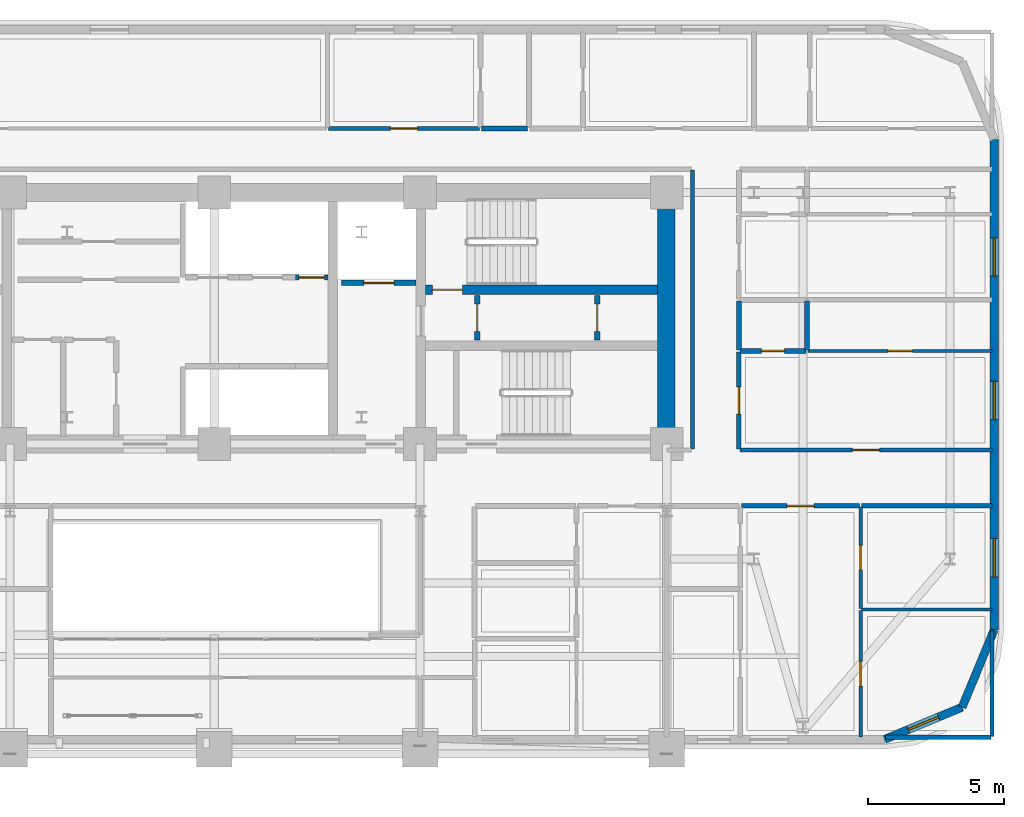
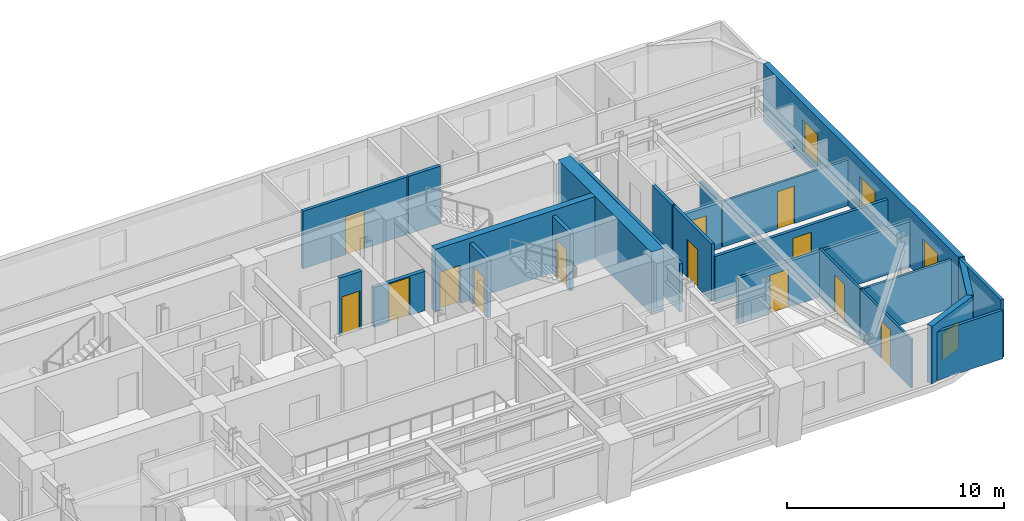
# One storey, part 12 of 16: 25 walls, 13 doors, 4 windows, 17 openings.
"""IFC4 building model written with IfcOpenShell, lengths in metres."""

import ifcopenshell
import ifcopenshell.guid

model = None  # the IFC model being written
_history = None  # IfcOwnerHistory: only IFC2X3 demands one
_inside = {}  # id of a spatial element -> (the spatial element, [elements in it])
_under = {}  # id of a project, library or spatial element -> (it, [spatial elements below it])
_declared = {}  # id of a project -> (the project, [libraries it declares])
_typed = {}  # id of a type object -> (the type object, [elements of that type])
_made_of = {}  # id of a material, layer set ... -> (it, [elements and type objects made of it])


def new_model(schema):
    """Start an empty IFC model of exactly this schema.

    Asked for "IFC4X3", IfcOpenShell would pick the latest addendum, in which some entities
    have other attributes; the version numbers below select the first issue.
    IFC2X3 requires an IfcOwnerHistory on every rooted entity: one is made here for all.
    """
    global model, _history
    if schema == "IFC4X3":
        model = ifcopenshell.file(schema_version=(4, 3, 0, 0))
    else:
        model = ifcopenshell.file(schema=schema)
    _inside.clear()
    _under.clear()
    _declared.clear()
    _typed.clear()
    _made_of.clear()
    _history = None
    if model.schema == "IFC2X3":
        org = make("IfcOrganization", Name="unknown")
        user = make(
            "IfcPersonAndOrganization",
            ThePerson=make("IfcPerson", FamilyName="unknown"),
            TheOrganization=org,
        )
        app = make(
            "IfcApplication",
            ApplicationDeveloper=org,
            Version="unknown",
            ApplicationFullName="unknown",
            ApplicationIdentifier="unknown",
        )
        _history = make(
            "IfcOwnerHistory",
            OwningUser=user,
            OwningApplication=app,
            ChangeAction="ADDED",
            CreationDate=0,
        )
    return model


def make(cls, **values):
    """One entity of the class cls with the attributes given. An attribute that is None is left unset."""
    return model.create_entity(
        cls, **{name: value for name, value in values.items() if value is not None}
    )


def rooted(cls, **values):
    """An entity with a GlobalId (a new one), such as an element, a storey or a relation."""
    return make(cls, GlobalId=ifcopenshell.guid.new(), OwnerHistory=_history, **values)


def si_unit(unit_type, name, prefix=None):
    """IfcSIUnit, for example si_unit("LENGTHUNIT", "METRE", prefix="MILLI")."""
    return make("IfcSIUnit", UnitType=unit_type, Prefix=prefix, Name=name)


def assignment(units):
    """IfcUnitAssignment: the units of a project."""
    return None if units is None else make("IfcUnitAssignment", Units=units)


def point(xyz):
    """IfcCartesianPoint."""
    return None if xyz is None else make("IfcCartesianPoint", Coordinates=xyz)


def direction(xyz):
    """IfcDirection."""
    return None if xyz is None else make("IfcDirection", DirectionRatios=xyz)


def frame(location, z_axis=None, x_axis=None):
    """IfcAxis2Placement3D, a coordinate frame: its origin and axes. An axis left out is left unset."""
    return make(
        "IfcAxis2Placement3D",
        Location=point(location),
        Axis=direction(z_axis),
        RefDirection=direction(x_axis),
    )


def frame_2d(location, x_axis=None):
    """IfcAxis2Placement2D, a coordinate frame in the plane: its origin and x axis."""
    return make(
        "IfcAxis2Placement2D", Location=point(location), RefDirection=direction(x_axis)
    )


def origin():
    """The frame at (0, 0, 0) with its axes left unset."""
    return frame((0.0, 0.0, 0.0))


def place(relative_to, where):
    """IfcLocalPlacement: puts the frame where relative to a parent placement (None: the world)."""
    return make(
        "IfcLocalPlacement", PlacementRelTo=relative_to, RelativePlacement=where
    )


def context(
    kind, dimensions, precision=None, world=None, true_north=None, identifier=None
):
    """IfcGeometricRepresentationContext, for example the 3D "Model" context."""
    return make(
        "IfcGeometricRepresentationContext",
        ContextIdentifier=identifier,
        ContextType=kind,
        CoordinateSpaceDimension=dimensions,
        Precision=precision,
        WorldCoordinateSystem=world,
        TrueNorth=true_north,
    )


def subcontext(parent, identifier, kind, view, scale=None):
    """IfcGeometricRepresentationSubContext, for example "Body" below "Model"."""
    return make(
        "IfcGeometricRepresentationSubContext",
        ContextIdentifier=identifier,
        ContextType=kind,
        ParentContext=parent,
        TargetScale=scale,
        TargetView=view,
    )


def project(units=None, contexts=None):
    """IfcProject with its units and contexts."""
    return rooted(
        "IfcProject",
        Name="project",
        RepresentationContexts=contexts,
        UnitsInContext=assignment(units),
    )


def spatial(cls, under=None, at=None, **own):
    """A site, building, storey or space (cls), placed at a placement, below another one or the project."""
    s = rooted(cls, ObjectPlacement=at, **own)
    if under is not None:
        _under.setdefault(under.id(), (under, []))[1].append(s)
    return s


def profile(cls, at=None, kind="AREA", **sizes):
    """A parametric profile (cls). Its sizes go by their IFC names, for example OverallWidth=200.0."""
    return make(cls, ProfileType=kind, Position=at, **sizes)


def rectangle(**sizes):
    """IfcRectangleProfileDef."""
    return profile("IfcRectangleProfileDef", **sizes)


def extrude(swept, where, along, depth):
    """IfcExtrudedAreaSolid: the profile swept, set in the frame where, extruded along a direction by depth."""
    return make(
        "IfcExtrudedAreaSolid",
        SweptArea=swept,
        Position=where,
        ExtrudedDirection=direction(along),
        Depth=depth,
    )


def shape(context_of_items, identifier, shape_type, items):
    """IfcShapeRepresentation: the items that make up one representation, for example the "Body"."""
    return make(
        "IfcShapeRepresentation",
        ContextOfItems=context_of_items,
        RepresentationIdentifier=identifier,
        RepresentationType=shape_type,
        Items=items,
    )


def material(Name=None, Category=None):
    """IfcMaterial."""
    return make("IfcMaterial", Name=Name, Category=Category)


def layer(
    of_material, thickness, ventilated=None, Name=None, Category=None, Priority=None
):
    """IfcMaterialLayer: one layer of a wall or slab, of a material (None: an air gap)."""
    return make(
        "IfcMaterialLayer",
        Material=of_material,
        LayerThickness=thickness,
        IsVentilated=ventilated,
        Name=Name,
        Category=Category,
        Priority=Priority,
    )


def layer_set(layers, Name=None):
    """IfcMaterialLayerSet."""
    return make("IfcMaterialLayerSet", MaterialLayers=layers, LayerSetName=Name)


def made_of(thing, what):
    """Note that an element or type object is made of a material, layer set ...; save() writes the relation."""
    if what is not None:
        _made_of.setdefault(what.id(), (what, []))[1].append(thing)
    return thing


def type_object(cls, material=None, **own):
    """A type object (cls), such as IfcWallType, which elements share."""
    return made_of(rooted(cls, **own), material)


def element(
    cls,
    number,
    at=None,
    inside=None,
    cuts=None,
    type_object=None,
    material=None,
    context=None,
    identifier="Body",
    shape_type=None,
    held_by="IfcProductDefinitionShape",
    body=None,
    shapes=None,
    **own,
):
    """One element of the class cls, such as IfcWall. Its Tag is "e" and its number.

    at: its placement. inside: the storey or other place that contains it. cuts: it is an
    opening in that element (IfcRelVoidsElement). A single representation is given by context,
    identifier, shape_type and body (its items); several are given by shapes. held_by: the class
    of the entity that holds the representations. save() writes the other relations.
    """
    e = rooted(cls, Tag="e%d" % number, ObjectPlacement=at, **own)
    if body is not None:
        shapes = [shape(context, identifier, shape_type, body)]
    if shapes is not None:
        e.Representation = make(held_by, Representations=shapes)
    if inside is not None:
        _inside.setdefault(inside.id(), (inside, []))[1].append(e)
    if cuts is not None:
        rooted(
            "IfcRelVoidsElement", RelatingBuildingElement=cuts, RelatedOpeningElement=e
        )
    if type_object is not None:
        _typed.setdefault(type_object.id(), (type_object, []))[1].append(e)
    return made_of(e, material)


def fill(opening, filler):
    """IfcRelFillsElement: the door or window that sits in an opening."""
    return rooted(
        "IfcRelFillsElement",
        RelatingOpeningElement=opening,
        RelatedBuildingElement=filler,
    )


def aggregate(whole, parts):
    """IfcRelAggregates: a whole, such as a stair, and the parts it consists of."""
    return rooted("IfcRelAggregates", RelatingObject=whole, RelatedObjects=parts)


def save(model, path):
    """Write the relations noted so far, then the file.

    IfcRelAggregates (storeys below a building ...), IfcRelContainedInSpatialStructure (elements
    in a storey), IfcRelDefinesByType, IfcRelAssociatesMaterial and IfcRelDeclares: one each for
    every whole, place, type object, material and project.
    """
    for whole, parts in _under.values():
        aggregate(whole, parts)
    for where, things in _inside.values():
        rooted(
            "IfcRelContainedInSpatialStructure",
            RelatedElements=things,
            RelatingStructure=where,
        )
    for kind, things in _typed.values():
        rooted("IfcRelDefinesByType", RelatedObjects=things, RelatingType=kind)
    for what, things in _made_of.values():
        rooted("IfcRelAssociatesMaterial", RelatedObjects=things, RelatingMaterial=what)
    for by, libraries in _declared.values():
        rooted("IfcRelDeclares", RelatingContext=by, RelatedDefinitions=libraries)
    model.write(path)


model = new_model("IFC4")

# Units and contexts
model_context = context("Model", 3, precision=1e-05, world=origin(), true_north=direction((0.0, 1.0)))
body_context = subcontext(model_context, "Body", "Model", "MODEL_VIEW")
ifc_project = project(units=[si_unit("LENGTHUNIT", "METRE"), si_unit("AREAUNIT", "SQUARE_METRE"), si_unit("VOLUMEUNIT", "CUBIC_METRE"), si_unit("PLANEANGLEUNIT", "RADIAN"), si_unit("MASSUNIT", "GRAM", prefix="KILO")], contexts=[model_context])

# Site, building, storey
site_placement = place(None, origin())
site = spatial("IfcSite", under=ifc_project, at=site_placement, CompositionType="ELEMENT")
building_placement = place(site_placement, origin())
building = spatial("IfcBuilding", under=site, at=building_placement, Name="Zarnavel Station Tower", CompositionType="ELEMENT")
storey_placement = place(building_placement, frame((0.0, 0.0, 104.800048828125)))
storey = spatial("IfcBuildingStorey", under=building, at=storey_placement, Name="L28", CompositionType="ELEMENT", Elevation=104.800048828125)

# Wall, opening, door
ifc_material_1 = material(Name="Concrete C50/60", Category="concrete")
ifc_layer_1 = layer(ifc_material_1, 0.35009765625)
ifc_layer_set_1 = layer_set([ifc_layer_1], Name="CW_350")
wall_type_1 = type_object("IfcWallType", Name="CW_350", PredefinedType="SHEAR", material=ifc_layer_set_1)
wall_1_placement = place(storey_placement, frame((45.054931640625, 33.47998046875, 0.0), z_axis=(0.0, 0.0, 1.0), x_axis=(-1.0, 0.0, 0.0)))
wall_1 = element("IfcWall", 1, at=wall_1_placement, inside=storey, type_object=wall_type_1, Name="L28 Rear Core Shear Wall DIV-H2", PredefinedType="SHEAR", context=body_context, shape_type="SweptSolid", body=[
    extrude(rectangle(XDim=8.5, YDim=0.35009765625, at=frame_2d((4.25, 0.0))), origin(), (0.0, 0.0, 1.0), 3.5),
])
opening_1_placement = place(wall_1_placement, frame((7.155029296875, 0.0, 0.0)))
opening_1 = element("IfcOpeningElement", 2, at=opening_1_placement, cuts=wall_1, Name="Opening FD01", PredefinedType="OPENING", context=body_context, shape_type="SweptSolid", body=[
    extrude(rectangle(XDim=1.10009765625, YDim=2.14990234375, at=frame_2d((0.550048828125, 1.074951171875))), frame((0.0, 0.18505859375, 0.0), z_axis=(0.0, -1.0, 0.0), x_axis=(1.0, 0.0, 0.0)), (0.0, 0.0, 1.0), 0.3701171875),
])
ifc_material_2 = material(Name="Painted Galvanised Steel and Hardwood Leaf", Category="steel")
door_type_1 = type_object("IfcDoorType", Name="ID_STAIR_1100", OperationType="NOTDEFINED", PredefinedType="DOOR", material=ifc_material_2)
door_1_placement = place(opening_1_placement, origin())
door_1 = element("IfcDoor", 3, at=door_1_placement, inside=storey, type_object=door_type_1, Name="L28 Stair ST2 Lobby Fire Door", OperationType="SINGLE_SWING_RIGHT", OverallHeight=2.14990234375, OverallWidth=1.10009765625, PredefinedType="DOOR", context=body_context, shape_type="SweptSolid", body=[
    extrude(rectangle(XDim=1.10009765625, YDim=2.14990234375, at=frame_2d((0.550048828125, 1.074951171875))), frame((0.0, 0.02490234375, 0.0), z_axis=(0.0, -1.0, 0.0), x_axis=(1.0, 0.0, 0.0)), (0.0, 0.0, 1.0), 0.050048828125),
])
fill(opening_1, door_1)

# Wall
ifc_material_3 = material(Name="Concrete C60/75", Category="concrete")
ifc_layer_2 = layer(ifc_material_3, 0.64990234375)
ifc_layer_set_2 = layer_set([ifc_layer_2], Name="CW_650")
wall_type_2 = type_object("IfcWallType", Name="CW_650", PredefinedType="SHEAR", material=ifc_layer_set_2)
wall_2_placement = place(storey_placement, frame((45.3798828125, 28.14501953125, 0.0), z_axis=(0.0, 0.0, 1.0), x_axis=(0.0, 1.0, 0.0)))
element("IfcWall", 4, at=wall_2_placement, inside=storey, type_object=wall_type_2, Name="L28 Rear Core Shear Wall E", PredefinedType="SHEAR", context=body_context, shape_type="SweptSolid", body=[
    extrude(rectangle(XDim=8.580078125, YDim=0.64990234375, at=frame_2d((4.2900390625, 0.0))), origin(), (0.0, 0.0, 1.0), 3.5),
])

# Wall, opening, window
ifc_material_4 = material(Name="Precast concrete C45/55 (Dark Basalt Finish)", Category="masonry")
ifc_layer_3 = layer(ifc_material_4, 0.300048828125)
ifc_layer_set_3 = layer_set([ifc_layer_3], Name="EW_BASALT_300")
wall_type_3 = type_object("IfcWallType", Name="EW_BASALT_300", PredefinedType="SOLIDWALL", material=ifc_layer_set_3)
wall_3_placement = place(storey_placement, frame((56.24267578125, 18.157470703125, 0.0), z_axis=(0.0, 0.0, 1.0), x_axis=(-0.923882414032, -0.382676475685, 0.0)))
wall_3 = element("IfcWall", 5, at=wall_3_placement, inside=storey, type_object=wall_type_3, Name="L28 Exterior Basalt Masonry Frame Wall 01", PredefinedType="SOLIDWALL", context=body_context, shape_type="SweptSolid", body=[
    extrude(rectangle(XDim=3.076904296875, YDim=0.300048828125, at=frame_2d((1.53857421875, 0.0))), origin(), (0.0, 0.0, 1.0), 3.239990234375),
])
opening_2_placement = place(wall_3_placement, frame((0.9384765625, 0.0, 0.75)))
opening_2 = element("IfcOpeningElement", 6, at=opening_2_placement, cuts=wall_3, Name="Opening WN08", PredefinedType="OPENING", context=body_context, shape_type="SweptSolid", body=[
    extrude(rectangle(XDim=1.199951171875, YDim=1.5, at=frame_2d((0.60009765625, 0.75))), frame((0.0, 0.159912109375, 0.0), z_axis=(0.0, -1.0, 0.0), x_axis=(1.0, 0.0, 0.0)), (0.0, 0.0, 1.0), 0.320068359375),
])
ifc_material_5 = material(Name="Thermally Broken Black Aluminium and Low-E Dark Glass", Category="aluminium")
window_type_1 = type_object("IfcWindowType", Name="WN_1200x1500", PartitioningType="SINGLE_PANEL", PredefinedType="WINDOW", material=ifc_material_5)
window_1_placement = place(opening_2_placement, origin())
window_1 = element("IfcWindow", 7, at=window_1_placement, inside=storey, type_object=window_type_1, Name="L28 Recessed Facade Window 01", OverallHeight=1.5, OverallWidth=1.199951171875, PartitioningType="SINGLE_PANEL", PredefinedType="WINDOW", context=body_context, shape_type="SweptSolid", body=[
    extrude(rectangle(XDim=1.199951171875, YDim=1.5, at=frame_2d((0.60009765625, 0.75))), frame((0.0, 0.030029296875, 0.0), z_axis=(0.0, -1.0, 0.0), x_axis=(1.0, 0.0, 0.0)), (0.0, 0.0, 1.0), 0.06005859375),
])
fill(opening_2, window_1)

# Wall
wall_4_placement = place(storey_placement, frame((57.419921875, 21.0, 0.0), z_axis=(0.0, 0.0, 1.0), x_axis=(-0.382636798336, -0.92389884758, 0.0)))
element("IfcWall", 8, at=wall_4_placement, inside=storey, type_object=wall_type_3, Name="L28 Exterior Basalt Masonry Frame Wall 02", PredefinedType="SOLIDWALL", context=body_context, shape_type="SweptSolid", body=[
    extrude(rectangle(XDim=3.07666015625, YDim=0.300048828125, at=frame_2d((1.538330078125, 0.0))), origin(), (0.0, 0.0, 1.0), 3.239990234375),
])

# Wall, openings, windows
wall_5_placement = place(storey_placement, frame((57.419921875, 39.0, 0.0), z_axis=(0.0, 0.0, 1.0), x_axis=(0.0, -1.0, 0.0)))
wall_5 = element("IfcWall", 9, at=wall_5_placement, inside=storey, type_object=wall_type_3, Name="L28 Exterior Basalt Masonry Frame Wall 03", PredefinedType="SOLIDWALL", context=body_context, shape_type="SweptSolid", body=[
    extrude(rectangle(XDim=18.0, YDim=0.300048828125, at=frame_2d((9.0, 0.0))), origin(), (0.0, 0.0, 1.0), 3.239990234375),
])
opening_3_placement = place(wall_5_placement, frame((8.882080078125, 0.0, 0.47998046875)))
opening_3 = element("IfcOpeningElement", 10, at=opening_3_placement, cuts=wall_5, Name="Opening WN01", PredefinedType="OPENING", context=body_context, shape_type="SweptSolid", body=[
    extrude(rectangle(XDim=1.39990234375, YDim=1.800048828125, at=frame_2d((0.699951171875, 0.89990234375))), frame((0.0, 0.159912109375, 0.0), z_axis=(0.0, -1.0, 0.0), x_axis=(1.0, 0.0, 0.0)), (0.0, 0.0, 1.0), 0.320068359375),
])
opening_4_placement = place(wall_5_placement, frame((3.62060546875, 0.0, 0.47998046875)))
opening_4 = element("IfcOpeningElement", 11, at=opening_4_placement, cuts=wall_5, Name="Opening WN01", PredefinedType="OPENING", context=body_context, shape_type="SweptSolid", body=[
    extrude(rectangle(XDim=1.39990234375, YDim=1.800048828125, at=frame_2d((0.699951171875, 0.89990234375))), frame((0.0, 0.159912109375, 0.0), z_axis=(0.0, -1.0, 0.0), x_axis=(1.0, 0.0, 0.0)), (0.0, 0.0, 1.0), 0.320068359375),
])
opening_5_placement = place(wall_5_placement, frame((14.654541015625, 0.0, 0.47998046875)))
opening_5 = element("IfcOpeningElement", 12, at=opening_5_placement, cuts=wall_5, Name="Opening WN01", PredefinedType="OPENING", context=body_context, shape_type="SweptSolid", body=[
    extrude(rectangle(XDim=1.39990234375, YDim=1.800048828125, at=frame_2d((0.699951171875, 0.89990234375))), frame((0.0, 0.159912109375, 0.0), z_axis=(0.0, -1.0, 0.0), x_axis=(1.0, 0.0, 0.0)), (0.0, 0.0, 1.0), 0.320068359375),
])
ifc_material_6 = material(Name="Thermally Broken Black Aluminium and Low-E Dark Glass", Category="aluminium")
window_type_2 = type_object("IfcWindowType", Name="WN_1400x1800", PartitioningType="DOUBLE_PANEL_VERTICAL", PredefinedType="WINDOW", material=ifc_material_6)
window_2_placement = place(opening_3_placement, origin())
window_2 = element("IfcWindow", 13, at=window_2_placement, inside=storey, type_object=window_type_2, Name="L28 Recessed Facade Window 01", OverallHeight=1.800048828125, OverallWidth=1.39990234375, PartitioningType="SINGLE_PANEL", PredefinedType="WINDOW", context=body_context, shape_type="SweptSolid", body=[
    extrude(rectangle(XDim=1.39990234375, YDim=1.800048828125, at=frame_2d((0.699951171875, 0.89990234375))), frame((0.0, 0.030029296875, 0.0), z_axis=(0.0, -1.0, 0.0), x_axis=(1.0, 0.0, 0.0)), (0.0, 0.0, 1.0), 0.06005859375),
])
fill(opening_3, window_2)
window_3_placement = place(opening_4_placement, origin())
window_3 = element("IfcWindow", 14, at=window_3_placement, inside=storey, type_object=window_type_2, Name="L28 Recessed Facade Window 02", OverallHeight=1.800048828125, OverallWidth=1.39990234375, PartitioningType="SINGLE_PANEL", PredefinedType="WINDOW", context=body_context, shape_type="SweptSolid", body=[
    extrude(rectangle(XDim=1.39990234375, YDim=1.800048828125, at=frame_2d((0.699951171875, 0.89990234375))), frame((0.0, 0.030029296875, 0.0), z_axis=(0.0, -1.0, 0.0), x_axis=(1.0, 0.0, 0.0)), (0.0, 0.0, 1.0), 0.06005859375),
])
fill(opening_4, window_3)
window_4_placement = place(opening_5_placement, origin())
window_4 = element("IfcWindow", 15, at=window_4_placement, inside=storey, type_object=window_type_2, Name="L28 Recessed Facade Window 03", OverallHeight=1.800048828125, OverallWidth=1.39990234375, PartitioningType="SINGLE_PANEL", PredefinedType="WINDOW", context=body_context, shape_type="SweptSolid", body=[
    extrude(rectangle(XDim=1.39990234375, YDim=1.800048828125, at=frame_2d((0.699951171875, 0.89990234375))), frame((0.0, 0.030029296875, 0.0), z_axis=(0.0, -1.0, 0.0), x_axis=(1.0, 0.0, 0.0)), (0.0, 0.0, 1.0), 0.06005859375),
])
fill(opening_5, window_4)

# Wall, opening, door
ifc_material_7 = material(Name="Gypsum Twin-Stud Acoustic Fire Partition", Category="concrete")
ifc_layer_4 = layer(ifc_material_7, 0.159912109375)
ifc_layer_set_4 = layer_set([ifc_layer_4], Name="PT_DEMISE_160")
wall_type_4 = type_object("IfcWallType", Name="PT_DEMISE_160", PredefinedType="PARTITIONING", material=ifc_layer_set_4)
wall_6_placement = place(storey_placement, frame((48.090087890625, 27.60009765625, 0.0), z_axis=(0.0, 0.0, 1.0), x_axis=(1.0, 0.0, 0.0)))
wall_6 = element("IfcWall", 16, at=wall_6_placement, inside=storey, type_object=wall_type_4, Name="L28 Partition COR-S-FNE1R", PredefinedType="PARTITIONING", context=body_context, shape_type="SweptSolid", body=[
    extrude(rectangle(XDim=9.25, YDim=0.159912109375, at=frame_2d((4.625, 0.0))), origin(), (0.0, 0.0, 1.0), 2.570068359375),
])
opening_6_placement = place(wall_6_placement, frame((4.125, 0.0, 0.0)))
opening_6 = element("IfcOpeningElement", 17, at=opening_6_placement, cuts=wall_6, Name="Opening FD02", PredefinedType="OPENING", context=body_context, shape_type="SweptSolid", body=[
    extrude(rectangle(XDim=1.0, YDim=2.14990234375, at=frame_2d((0.5, 1.074951171875))), frame((0.0, 0.08984375, 0.0), z_axis=(0.0, -1.0, 0.0), x_axis=(1.0, 0.0, 0.0)), (0.0, 0.0, 1.0), 0.179931640625),
])
ifc_material_8 = material(Name="Painted Galvanised Steel and Hardwood Leaf", Category="steel")
door_type_2 = type_object("IfcDoorType", Name="ID_ENTRY_1000", OperationType="NOTDEFINED", PredefinedType="DOOR", material=ifc_material_8)
door_2_placement = place(opening_6_placement, origin())
door_2 = element("IfcDoor", 18, at=door_2_placement, inside=storey, type_object=door_type_2, Name="L28 Door COR-S-FNE1R", OperationType="SINGLE_SWING_RIGHT", OverallHeight=2.14990234375, OverallWidth=1.0, PredefinedType="DOOR", context=body_context, shape_type="SweptSolid", body=[
    extrude(rectangle(XDim=1.0, YDim=2.14990234375, at=frame_2d((0.5, 1.074951171875))), frame((0.0, 0.02490234375, 0.0), z_axis=(0.0, -1.0, 0.0), x_axis=(1.0, 0.0, 0.0)), (0.0, 0.0, 1.0), 0.050048828125),
])
fill(opening_6, door_2)

wall_7_placement = place(storey_placement, frame((48.139892578125, 25.550048828125, 0.0), z_axis=(0.0, 0.0, 1.0), x_axis=(1.0, 0.0, 0.0)))
wall_7 = element("IfcWall", 19, at=wall_7_placement, inside=storey, type_object=wall_type_4, Name="L28 Partition COR-S-UE1BLV", PredefinedType="PARTITIONING", context=body_context, shape_type="SweptSolid", body=[
    extrude(rectangle(XDim=4.338134765625, YDim=0.159912109375, at=frame_2d((2.1689453125, 0.0))), origin(), (0.0, 0.0, 1.0), 2.570068359375),
])
opening_7_placement = place(wall_7_placement, frame((1.6689453125, 0.0, 0.0)))
opening_7 = element("IfcOpeningElement", 20, at=opening_7_placement, cuts=wall_7, Name="Opening FD02", PredefinedType="OPENING", context=body_context, shape_type="SweptSolid", body=[
    extrude(rectangle(XDim=1.0, YDim=2.14990234375, at=frame_2d((0.5, 1.074951171875))), frame((0.0, 0.08984375, 0.0), z_axis=(0.0, -1.0, 0.0), x_axis=(1.0, 0.0, 0.0)), (0.0, 0.0, 1.0), 0.179931640625),
])
door_3_placement = place(opening_7_placement, origin())
door_3 = element("IfcDoor", 21, at=door_3_placement, inside=storey, type_object=door_type_2, Name="L28 Door COR-S-UE1BLV", OperationType="SINGLE_SWING_RIGHT", OverallHeight=2.14990234375, OverallWidth=1.0, PredefinedType="DOOR", context=body_context, shape_type="SweptSolid", body=[
    extrude(rectangle(XDim=1.0, YDim=2.14990234375, at=frame_2d((0.5, 1.074951171875))), frame((0.0, 0.02490234375, 0.0), z_axis=(0.0, -1.0, 0.0), x_axis=(1.0, 0.0, 0.0)), (0.0, 0.0, 1.0), 0.050048828125),
])
fill(opening_7, door_3)

# Wall
wall_8_placement = place(storey_placement, frame((52.55810546875, 25.550048828125, 0.0), z_axis=(0.0, 0.0, 1.0), x_axis=(1.0, 0.0, 0.0)))
element("IfcWall", 22, at=wall_8_placement, inside=storey, type_object=wall_type_4, Name="L28 Partition COR-S-UE1BB2", PredefinedType="PARTITIONING", context=body_context, shape_type="SweptSolid", body=[
    extrude(rectangle(XDim=4.781982421875, YDim=0.159912109375, at=frame_2d((2.39111328125, 0.0))), origin(), (0.0, 0.0, 1.0), 2.570068359375),
])

# Wall, opening, door
wall_9_placement = place(storey_placement, frame((48.050048828125, 27.639892578125, 0.0), z_axis=(0.0, 0.0, 1.0), x_axis=(0.0, 1.0, 0.0)))
wall_9 = element("IfcWall", 23, at=wall_9_placement, inside=storey, type_object=wall_type_4, Name="L28 Partition COR-E-FNE1R", PredefinedType="PARTITIONING", context=body_context, shape_type="SweptSolid", body=[
    extrude(rectangle(XDim=3.55615234375, YDim=0.159912109375, at=frame_2d((1.778076171875, 0.0))), origin(), (0.0, 0.0, 1.0), 3.239990234375),
])
opening_8_placement = place(wall_9_placement, frame((1.278076171875, 0.0, 0.0)))
opening_8 = element("IfcOpeningElement", 24, at=opening_8_placement, cuts=wall_9, Name="Opening FD02", PredefinedType="OPENING", context=body_context, shape_type="SweptSolid", body=[
    extrude(rectangle(XDim=1.0, YDim=2.14990234375, at=frame_2d((0.5, 1.074951171875))), frame((0.0, 0.08984375, 0.0), z_axis=(0.0, -1.0, 0.0), x_axis=(1.0, 0.0, 0.0)), (0.0, 0.0, 1.0), 0.179931640625),
])
door_4_placement = place(opening_8_placement, origin())
door_4 = element("IfcDoor", 25, at=door_4_placement, inside=storey, type_object=door_type_2, Name="L28 Door COR-E-FNE1R", OperationType="SINGLE_SWING_LEFT", OverallHeight=2.14990234375, OverallWidth=1.0, PredefinedType="DOOR", context=body_context, shape_type="SweptSolid", body=[
    extrude(rectangle(XDim=1.0, YDim=2.14990234375, at=frame_2d((0.5, 1.074951171875))), frame((0.0, 0.02490234375, 0.0), z_axis=(0.0, -1.0, 0.0), x_axis=(1.0, 0.0, 0.0)), (0.0, 0.0, 1.0), 0.050048828125),
])
fill(opening_8, door_4)

wall_10_placement = place(storey_placement, frame((32.989990234375, 39.39990234375, 0.0), z_axis=(0.0, 0.0, 1.0), x_axis=(1.0, 0.0, 0.0)))
wall_10 = element("IfcWall", 26, at=wall_10_placement, inside=storey, type_object=wall_type_4, Name="L28 Partition COR-N-HN1R", PredefinedType="PARTITIONING", context=body_context, shape_type="SweptSolid", body=[
    extrude(rectangle(XDim=5.537109375, YDim=0.159912109375, at=frame_2d((2.7685546875, 0.0))), origin(), (0.0, 0.0, 1.0), 3.239990234375),
])
opening_9_placement = place(wall_10_placement, frame((2.2685546875, 0.0, 0.0)))
opening_9 = element("IfcOpeningElement", 27, at=opening_9_placement, cuts=wall_10, Name="Opening FD02", PredefinedType="OPENING", context=body_context, shape_type="SweptSolid", body=[
    extrude(rectangle(XDim=1.0, YDim=2.14990234375, at=frame_2d((0.5, 1.074951171875))), frame((0.0, 0.08984375, 0.0), z_axis=(0.0, -1.0, 0.0), x_axis=(1.0, 0.0, 0.0)), (0.0, 0.0, 1.0), 0.179931640625),
])
door_5_placement = place(opening_9_placement, origin())
door_5 = element("IfcDoor", 28, at=door_5_placement, inside=storey, type_object=door_type_2, Name="L28 Door COR-N-HN1R", OperationType="SINGLE_SWING_LEFT", OverallHeight=2.14990234375, OverallWidth=1.0, PredefinedType="DOOR", context=body_context, shape_type="SweptSolid", body=[
    extrude(rectangle(XDim=1.0, YDim=2.14990234375, at=frame_2d((0.5, 1.074951171875))), frame((0.0, 0.02490234375, 0.0), z_axis=(0.0, -1.0, 0.0), x_axis=(1.0, 0.0, 0.0)), (0.0, 0.0, 1.0), 0.050048828125),
])
fill(opening_9, door_5)

# Walls
wall_11_placement = place(storey_placement, frame((46.35009765625, 27.6298828125, 0.0), z_axis=(0.0, 0.0, 1.0), x_axis=(0.0, 1.0, 0.0)))
element("IfcWall", 29, at=wall_11_placement, inside=storey, type_object=wall_type_4, Name="L28 Enclosure Wall COR-E", PredefinedType="PARTITIONING", context=body_context, shape_type="SweptSolid", body=[
    extrude(rectangle(XDim=10.240234375, YDim=0.159912109375, at=frame_2d((5.1201171875, 0.0))), origin(), (0.0, 0.0, 1.0), 2.719970703125),
])
wall_12_placement = place(storey_placement, frame((53.429931640625, 17.06005859375, 0.0), z_axis=(0.0, 0.0, 1.0), x_axis=(1.0, 0.0, 0.0)))
element("IfcWall", 30, at=wall_12_placement, inside=storey, type_object=wall_type_4, Name="L28 Enclosure Wall UE1BB1", PredefinedType="PARTITIONING", context=body_context, shape_type="SweptSolid", body=[
    extrude(rectangle(XDim=3.880126953125, YDim=0.159912109375, at=frame_2d((1.93994140625, 0.0))), origin(), (0.0, 0.0, 1.0), 2.719970703125),
])
wall_13_placement = place(storey_placement, frame((57.340087890625, 17.090087890625, 0.0), z_axis=(0.0, 0.0, 1.0), x_axis=(0.0, 1.0, 0.0)))
element("IfcWall", 31, at=wall_13_placement, inside=storey, type_object=wall_type_4, Name="L28 Enclosure Wall UE1BB1", PredefinedType="PARTITIONING", context=body_context, shape_type="SweptSolid", body=[
    extrude(rectangle(XDim=3.8798828125, YDim=0.159912109375, at=frame_2d((1.93994140625, 0.0))), origin(), (0.0, 0.0, 1.0), 3.239990234375),
])

# Wall, opening, door
ifc_material_9 = material(Name="Gypsum Metal-Stud Interior Partition", Category="concrete")
ifc_layer_5 = layer(ifc_material_9, 0.1201171875)
ifc_layer_set_5 = layer_set([ifc_layer_5], Name="PT_ROOM_120")
wall_type_5 = type_object("IfcWallType", Name="PT_ROOM_120", PredefinedType="PARTITIONING", material=ifc_layer_set_5)
wall_14_placement = place(storey_placement, frame((50.590087890625, 31.236083984375, 0.0), z_axis=(0.0, 0.0, 1.0), x_axis=(1.0, 0.0, 0.0)))
wall_14 = element("IfcWall", 32, at=wall_14_placement, inside=storey, type_object=wall_type_5, Name="L28 Partition FNE1R-FNE1S", PredefinedType="PARTITIONING", context=body_context, shape_type="SweptSolid", body=[
    extrude(rectangle(XDim=6.75, YDim=0.1201171875, at=frame_2d((3.375, 0.0))), origin(), (0.0, 0.0, 1.0), 2.570068359375),
])
opening_10_placement = place(wall_14_placement, frame((2.925048828125, 0.0, 0.0)))
opening_10 = element("IfcOpeningElement", 33, at=opening_10_placement, cuts=wall_14, Name="Opening ID01", PredefinedType="OPENING", context=body_context, shape_type="SweptSolid", body=[
    extrude(rectangle(XDim=0.89990234375, YDim=2.10009765625, at=frame_2d((0.449951171875, 1.050048828125))), frame((0.0, 0.070068359375, 0.0), z_axis=(0.0, -1.0, 0.0), x_axis=(1.0, 0.0, 0.0)), (0.0, 0.0, 1.0), 0.14013671875),
])
ifc_material_10 = material(Name="Painted Galvanised Steel and Hardwood Leaf", Category="steel")
door_type_3 = type_object("IfcDoorType", Name="ID_ROOM_900", OperationType="NOTDEFINED", PredefinedType="DOOR", material=ifc_material_10)
door_6_placement = place(opening_10_placement, origin())
door_6 = element("IfcDoor", 34, at=door_6_placement, inside=storey, type_object=door_type_3, Name="L28 Door FNE1R-FNE1S", OperationType="SINGLE_SWING_RIGHT", OverallHeight=2.10009765625, OverallWidth=0.89990234375, PredefinedType="DOOR", context=body_context, shape_type="SweptSolid", body=[
    extrude(rectangle(XDim=0.89990234375, YDim=2.10009765625, at=frame_2d((0.449951171875, 1.050048828125))), frame((0.0, 0.02490234375, 0.0), z_axis=(0.0, -1.0, 0.0), x_axis=(1.0, 0.0, 0.0)), (0.0, 0.0, 1.0), 0.050048828125),
])
fill(opening_10, door_6)

wall_15_placement = place(storey_placement, frame((52.51806640625, 17.06005859375, 0.0), z_axis=(0.0, 0.0, 1.0), x_axis=(0.0, 1.0, 0.0)))
wall_15 = element("IfcWall", 35, at=wall_15_placement, inside=storey, type_object=wall_type_5, Name="L28 Partition UE1BLV-UE1BB1", PredefinedType="PARTITIONING", context=body_context, shape_type="SweptSolid", body=[
    extrude(rectangle(XDim=4.640869140625, YDim=0.1201171875, at=frame_2d((2.3203125, 0.0))), origin(), (0.0, 0.0, 1.0), 2.719970703125),
])
opening_11_placement = place(wall_15_placement, frame((1.87060546875, 0.0, 0.0)))
opening_11 = element("IfcOpeningElement", 36, at=opening_11_placement, cuts=wall_15, Name="Opening ID01", PredefinedType="OPENING", context=body_context, shape_type="SweptSolid", body=[
    extrude(rectangle(XDim=0.89990234375, YDim=2.10009765625, at=frame_2d((0.449951171875, 1.050048828125))), frame((0.0, 0.070068359375, 0.0), z_axis=(0.0, -1.0, 0.0), x_axis=(1.0, 0.0, 0.0)), (0.0, 0.0, 1.0), 0.14013671875),
])
door_7_placement = place(opening_11_placement, origin())
door_7 = element("IfcDoor", 37, at=door_7_placement, inside=storey, type_object=door_type_3, Name="L28 Door UE1BLV-UE1BB1", OperationType="SINGLE_SWING_LEFT", OverallHeight=2.10009765625, OverallWidth=0.89990234375, PredefinedType="DOOR", context=body_context, shape_type="SweptSolid", body=[
    extrude(rectangle(XDim=0.89990234375, YDim=2.10009765625, at=frame_2d((0.449951171875, 1.050048828125))), frame((0.0, 0.02490234375, 0.0), z_axis=(0.0, -1.0, 0.0), x_axis=(1.0, 0.0, 0.0)), (0.0, 0.0, 1.0), 0.050048828125),
])
fill(opening_11, door_7)

wall_16_placement = place(storey_placement, frame((52.51806640625, 21.781005859375, 0.0), z_axis=(0.0, 0.0, 1.0), x_axis=(0.0, 1.0, 0.0)))
wall_16 = element("IfcWall", 38, at=wall_16_placement, inside=storey, type_object=wall_type_5, Name="L28 Partition UE1BLV-UE1BB2", PredefinedType="PARTITIONING", context=body_context, shape_type="SweptSolid", body=[
    extrude(rectangle(XDim=3.72900390625, YDim=0.1201171875, at=frame_2d((1.864501953125, 0.0))), origin(), (0.0, 0.0, 1.0), 2.719970703125),
])
opening_12_placement = place(wall_16_placement, frame((1.41455078125, 0.0, 0.0)))
opening_12 = element("IfcOpeningElement", 39, at=opening_12_placement, cuts=wall_16, Name="Opening ID01", PredefinedType="OPENING", context=body_context, shape_type="SweptSolid", body=[
    extrude(rectangle(XDim=0.89990234375, YDim=2.10009765625, at=frame_2d((0.449951171875, 1.050048828125))), frame((0.0, 0.070068359375, 0.0), z_axis=(0.0, -1.0, 0.0), x_axis=(1.0, 0.0, 0.0)), (0.0, 0.0, 1.0), 0.14013671875),
])
door_8_placement = place(opening_12_placement, origin())
door_8 = element("IfcDoor", 40, at=door_8_placement, inside=storey, type_object=door_type_3, Name="L28 Door UE1BLV-UE1BB2", OperationType="SINGLE_SWING_RIGHT", OverallHeight=2.10009765625, OverallWidth=0.89990234375, PredefinedType="DOOR", context=body_context, shape_type="SweptSolid", body=[
    extrude(rectangle(XDim=0.89990234375, YDim=2.10009765625, at=frame_2d((0.449951171875, 1.050048828125))), frame((0.0, 0.02490234375, 0.0), z_axis=(0.0, -1.0, 0.0), x_axis=(1.0, 0.0, 0.0)), (0.0, 0.0, 1.0), 0.050048828125),
])
fill(opening_12, door_8)

# Wall
wall_17_placement = place(storey_placement, frame((52.55810546875, 21.740966796875, 0.0), z_axis=(0.0, 0.0, 1.0), x_axis=(1.0, 0.0, 0.0)))
element("IfcWall", 41, at=wall_17_placement, inside=storey, type_object=wall_type_5, Name="L28 Partition UE1BB1-UE1BB2", PredefinedType="PARTITIONING", context=body_context, shape_type="SweptSolid", body=[
    extrude(rectangle(XDim=4.781982421875, YDim=0.1201171875, at=frame_2d((2.39111328125, 0.0))), origin(), (0.0, 0.0, 1.0), 2.719970703125),
])

# Wall, opening, door
ifc_material_11 = material(Name="Precast concrete C45/55 (Fire Shaft Blockwork)", Category="masonry")
ifc_layer_6 = layer(ifc_material_11, 0.199951171875)
ifc_layer_set_6 = layer_set([ifc_layer_6], Name="PT_SHAFT_200")
wall_type_6 = type_object("IfcWallType", Name="PT_SHAFT_200", PredefinedType="PARTITIONING", material=ifc_layer_set_6)
wall_18_placement = place(storey_placement, frame((33.47509765625, 33.72998046875, 0.0), z_axis=(0.0, 0.0, 1.0), x_axis=(1.0, 0.0, 0.0)))
wall_18 = element("IfcWall", 42, at=wall_18_placement, inside=storey, type_object=wall_type_6, Name="L28 Lift FFL-02 Shaft Front Wall", PredefinedType="PARTITIONING", context=body_context, shape_type="SweptSolid", body=[
    extrude(rectangle(XDim=2.724853515625, YDim=0.199951171875, at=frame_2d((1.3623046875, 0.0))), origin(), (0.0, 0.0, 1.0), 2.2119140625),
])
opening_13_placement = place(wall_18_placement, frame((0.8125, 0.0, 0.0)))
opening_13 = element("IfcOpeningElement", 43, at=opening_13_placement, cuts=wall_18, Name="Opening LD01", PredefinedType="OPENING", context=body_context, shape_type="SweptSolid", body=[
    extrude(rectangle(XDim=1.10009765625, YDim=2.14990234375, at=frame_2d((0.550048828125, 1.074951171875))), frame((0.0, 0.10986328125, 0.0), z_axis=(0.0, -1.0, 0.0), x_axis=(1.0, 0.0, 0.0)), (0.0, 0.0, 1.0), 0.219970703125),
])
ifc_material_12 = material(Name="Painted Galvanised Steel and Hardwood Leaf", Category="steel")
door_type_4 = type_object("IfcDoorType", Name="LD_FF_1100", OperationType="DOUBLE_DOOR_SLIDING", PredefinedType="DOOR", material=ifc_material_12)
door_9_placement = place(opening_13_placement, origin())
door_9 = element("IfcDoor", 44, at=door_9_placement, inside=storey, type_object=door_type_4, Name="L28 Lift FFL-02 Sliding Landing Door", OperationType="DOUBLE_DOOR_SLIDING", OverallHeight=2.14990234375, OverallWidth=1.10009765625, PredefinedType="DOOR", context=body_context, shape_type="SweptSolid", body=[
    extrude(rectangle(XDim=1.10009765625, YDim=2.14990234375, at=frame_2d((0.550048828125, 1.074951171875))), frame((0.0, 0.02490234375, 0.0), z_axis=(0.0, -1.0, 0.0), x_axis=(1.0, 0.0, 0.0)), (0.0, 0.0, 1.0), 0.050048828125),
])
fill(opening_13, door_9)

wall_19_placement = place(storey_placement, frame((31.77490234375, 33.929931640625, 0.0), z_axis=(0.0, 0.0, 1.0), x_axis=(1.0, 0.0, 0.0)))
wall_19 = element("IfcWall", 45, at=wall_19_placement, inside=storey, type_object=wall_type_6, Name="L28 Lift PL-M3 Shaft Front Wall", PredefinedType="PARTITIONING", context=body_context, shape_type="SweptSolid", body=[
    extrude(rectangle(XDim=1.2001953125, YDim=0.199951171875, at=frame_2d((0.60009765625, 0.0))), origin(), (0.0, 0.0, 1.0), 3.239990234375),
])
opening_14_placement = place(wall_19_placement, frame((0.125, 0.0, 0.0)))
opening_14 = element("IfcOpeningElement", 46, at=opening_14_placement, cuts=wall_19, Name="Opening LD03", PredefinedType="OPENING", context=body_context, shape_type="SweptSolid", body=[
    extrude(rectangle(XDim=0.949951171875, YDim=2.14990234375, at=frame_2d((0.47509765625, 1.074951171875))), frame((0.0, 0.10986328125, 0.0), z_axis=(0.0, -1.0, 0.0), x_axis=(1.0, 0.0, 0.0)), (0.0, 0.0, 1.0), 0.219970703125),
])
ifc_material_13 = material(Name="Painted Galvanised Steel and Hardwood Leaf", Category="steel")
door_type_5 = type_object("IfcDoorType", Name="LD_PAX_0950", OperationType="DOUBLE_DOOR_SLIDING", PredefinedType="DOOR", material=ifc_material_13)
door_10_placement = place(opening_14_placement, origin())
door_10 = element("IfcDoor", 47, at=door_10_placement, inside=storey, type_object=door_type_5, Name="L28 Lift PL-M3 Sliding Landing Door", OperationType="DOUBLE_DOOR_SLIDING", OverallHeight=2.14990234375, OverallWidth=0.949951171875, PredefinedType="DOOR", context=body_context, shape_type="SweptSolid", body=[
    extrude(rectangle(XDim=0.949951171875, YDim=2.14990234375, at=frame_2d((0.47509765625, 1.074951171875))), frame((0.0, 0.02490234375, 0.0), z_axis=(0.0, -1.0, 0.0), x_axis=(1.0, 0.0, 0.0)), (0.0, 0.0, 1.0), 0.050048828125),
])
fill(opening_14, door_10)

wall_20_placement = place(storey_placement, frame((38.449951171875, 31.639892578125, 0.0), z_axis=(0.0, 0.0, 1.0), x_axis=(0.0, 1.0, 0.0)))
wall_20 = element("IfcWall", 48, at=wall_20_placement, inside=storey, type_object=wall_type_6, Name="L28 Partition ESTV-CEA", PredefinedType="PARTITIONING", context=body_context, shape_type="SweptSolid", body=[
    extrude(rectangle(XDim=1.6201171875, YDim=0.199951171875, at=frame_2d((0.81005859375, 0.0))), origin(), (0.0, 0.0, 1.0), 3.239990234375),
])
opening_15_placement = place(wall_20_placement, frame((0.31005859375, 0.0, 0.0)))
opening_15 = element("IfcOpeningElement", 49, at=opening_15_placement, cuts=wall_20, Name="Opening FD02", PredefinedType="OPENING", context=body_context, shape_type="SweptSolid", body=[
    extrude(rectangle(XDim=1.0, YDim=2.14990234375, at=frame_2d((0.5, 1.074951171875))), frame((0.0, 0.10986328125, 0.0), z_axis=(0.0, -1.0, 0.0), x_axis=(1.0, 0.0, 0.0)), (0.0, 0.0, 1.0), 0.219970703125),
])
door_11_placement = place(opening_15_placement, origin())
door_11 = element("IfcDoor", 50, at=door_11_placement, inside=storey, type_object=door_type_2, Name="L28 Door ESTV-CEA", OperationType="SINGLE_SWING_RIGHT", OverallHeight=2.14990234375, OverallWidth=1.0, PredefinedType="DOOR", context=body_context, shape_type="SweptSolid", body=[
    extrude(rectangle(XDim=1.0, YDim=2.14990234375, at=frame_2d((0.5, 1.074951171875))), frame((0.0, 0.02490234375, 0.0), z_axis=(0.0, -1.0, 0.0), x_axis=(1.0, 0.0, 0.0)), (0.0, 0.0, 1.0), 0.050048828125),
])
fill(opening_15, door_11)

wall_21_placement = place(storey_placement, frame((42.85009765625, 31.639892578125, 0.0), z_axis=(0.0, 0.0, 1.0), x_axis=(0.0, 1.0, 0.0)))
wall_21 = element("IfcWall", 51, at=wall_21_placement, inside=storey, type_object=wall_type_6, Name="L28 Partition CEA-CEB", PredefinedType="PARTITIONING", context=body_context, shape_type="SweptSolid", body=[
    extrude(rectangle(XDim=1.6201171875, YDim=0.199951171875, at=frame_2d((0.81005859375, 0.0))), origin(), (0.0, 0.0, 1.0), 3.239990234375),
])
opening_16_placement = place(wall_21_placement, frame((0.31005859375, 0.0, 0.0)))
opening_16 = element("IfcOpeningElement", 52, at=opening_16_placement, cuts=wall_21, Name="Opening FD02", PredefinedType="OPENING", context=body_context, shape_type="SweptSolid", body=[
    extrude(rectangle(XDim=1.0, YDim=2.14990234375, at=frame_2d((0.5, 1.074951171875))), frame((0.0, 0.10986328125, 0.0), z_axis=(0.0, -1.0, 0.0), x_axis=(1.0, 0.0, 0.0)), (0.0, 0.0, 1.0), 0.219970703125),
])
door_12_placement = place(opening_16_placement, origin())
door_12 = element("IfcDoor", 53, at=door_12_placement, inside=storey, type_object=door_type_2, Name="L28 Door CEA-CEB", OperationType="SINGLE_SWING_LEFT", OverallHeight=2.14990234375, OverallWidth=1.0, PredefinedType="DOOR", context=body_context, shape_type="SweptSolid", body=[
    extrude(rectangle(XDim=1.0, YDim=2.14990234375, at=frame_2d((0.5, 1.074951171875))), frame((0.0, 0.02490234375, 0.0), z_axis=(0.0, -1.0, 0.0), x_axis=(1.0, 0.0, 0.0)), (0.0, 0.0, 1.0), 0.050048828125),
])
fill(opening_16, door_12)

# Walls
ifc_material_14 = material(Name="Moisture-Resistant Plumbing Chase Wall", Category="concrete")
ifc_layer_7 = layer(ifc_material_14, 0.179931640625)
ifc_layer_set_7 = layer_set([ifc_layer_7], Name="PW_PLUMB_180")
wall_type_7 = type_object("IfcWallType", Name="PW_PLUMB_180", PredefinedType="PLUMBINGWALL", material=ifc_layer_set_7)
wall_22_placement = place(storey_placement, frame((48.050048828125, 31.27587890625, 0.0), z_axis=(0.0, 0.0, 1.0), x_axis=(0.0, 1.0, 0.0)))
element("IfcWall", 54, at=wall_22_placement, inside=storey, type_object=wall_type_7, Name="L28 Partition COR-E-FNE1B", PredefinedType="PLUMBINGWALL", context=body_context, shape_type="SweptSolid", body=[
    extrude(rectangle(XDim=1.793212890625, YDim=0.179931640625, at=frame_2d((0.896484375, 0.0))), origin(), (0.0, 0.0, 1.0), 3.239990234375),
])
wall_23_placement = place(storey_placement, frame((38.60693359375, 39.39990234375, 0.0), z_axis=(0.0, 0.0, 1.0), x_axis=(1.0, 0.0, 0.0)))
element("IfcWall", 55, at=wall_23_placement, inside=storey, type_object=wall_type_7, Name="L28 Partition COR-N-HN1B", PredefinedType="PLUMBINGWALL", context=body_context, shape_type="SweptSolid", body=[
    extrude(rectangle(XDim=1.694091796875, YDim=0.179931640625, at=frame_2d((0.84716796875, 0.0))), origin(), (0.0, 0.0, 1.0), 3.239990234375),
])

# Wall, opening, door
wall_24_placement = place(storey_placement, frame((48.090087890625, 31.236083984375, 0.0), z_axis=(0.0, 0.0, 1.0), x_axis=(1.0, 0.0, 0.0)))
wall_24 = element("IfcWall", 56, at=wall_24_placement, inside=storey, type_object=wall_type_7, Name="L28 Partition FNE1R-FNE1B", PredefinedType="PLUMBINGWALL", context=body_context, shape_type="SweptSolid", body=[
    extrude(rectangle(XDim=2.419921875, YDim=0.179931640625, at=frame_2d((1.2099609375, 0.0))), origin(), (0.0, 0.0, 1.0), 2.570068359375),
])
opening_17_placement = place(wall_24_placement, frame((0.784912109375, 0.0, 0.0)))
opening_17 = element("IfcOpeningElement", 57, at=opening_17_placement, cuts=wall_24, Name="Opening ID02", PredefinedType="OPENING", context=body_context, shape_type="SweptSolid", body=[
    extrude(rectangle(XDim=0.85009765625, YDim=2.10009765625, at=frame_2d((0.425048828125, 1.050048828125))), frame((0.0, 0.099853515625, 0.0), z_axis=(0.0, -1.0, 0.0), x_axis=(1.0, 0.0, 0.0)), (0.0, 0.0, 1.0), 0.199951171875),
])
ifc_material_15 = material(Name="Painted Galvanised Steel and Hardwood Leaf", Category="steel")
door_type_6 = type_object("IfcDoorType", Name="ID_BATH_850", OperationType="NOTDEFINED", PredefinedType="DOOR", material=ifc_material_15)
door_13_placement = place(opening_17_placement, origin())
door_13 = element("IfcDoor", 58, at=door_13_placement, inside=storey, type_object=door_type_6, Name="L28 Door FNE1R-FNE1B", OperationType="SINGLE_SWING_LEFT", OverallHeight=2.10009765625, OverallWidth=0.85009765625, PredefinedType="DOOR", context=body_context, shape_type="SweptSolid", body=[
    extrude(rectangle(XDim=0.85009765625, YDim=2.10009765625, at=frame_2d((0.425048828125, 1.050048828125))), frame((0.0, 0.02490234375, 0.0), z_axis=(0.0, -1.0, 0.0), x_axis=(1.0, 0.0, 0.0)), (0.0, 0.0, 1.0), 0.050048828125),
])
fill(opening_17, door_13)

# Wall
wall_25_placement = place(storey_placement, frame((50.550048828125, 31.27587890625, 0.0), z_axis=(0.0, 0.0, 1.0), x_axis=(0.0, 1.0, 0.0)))
element("IfcWall", 59, at=wall_25_placement, inside=storey, type_object=wall_type_7, Name="L28 Partition FNE1B-FNE1S", PredefinedType="PLUMBINGWALL", context=body_context, shape_type="SweptSolid", body=[
    extrude(rectangle(XDim=1.793212890625, YDim=0.179931640625, at=frame_2d((0.896484375, 0.0))), origin(), (0.0, 0.0, 1.0), 2.570068359375),
])

save(model, "model.ifc")
